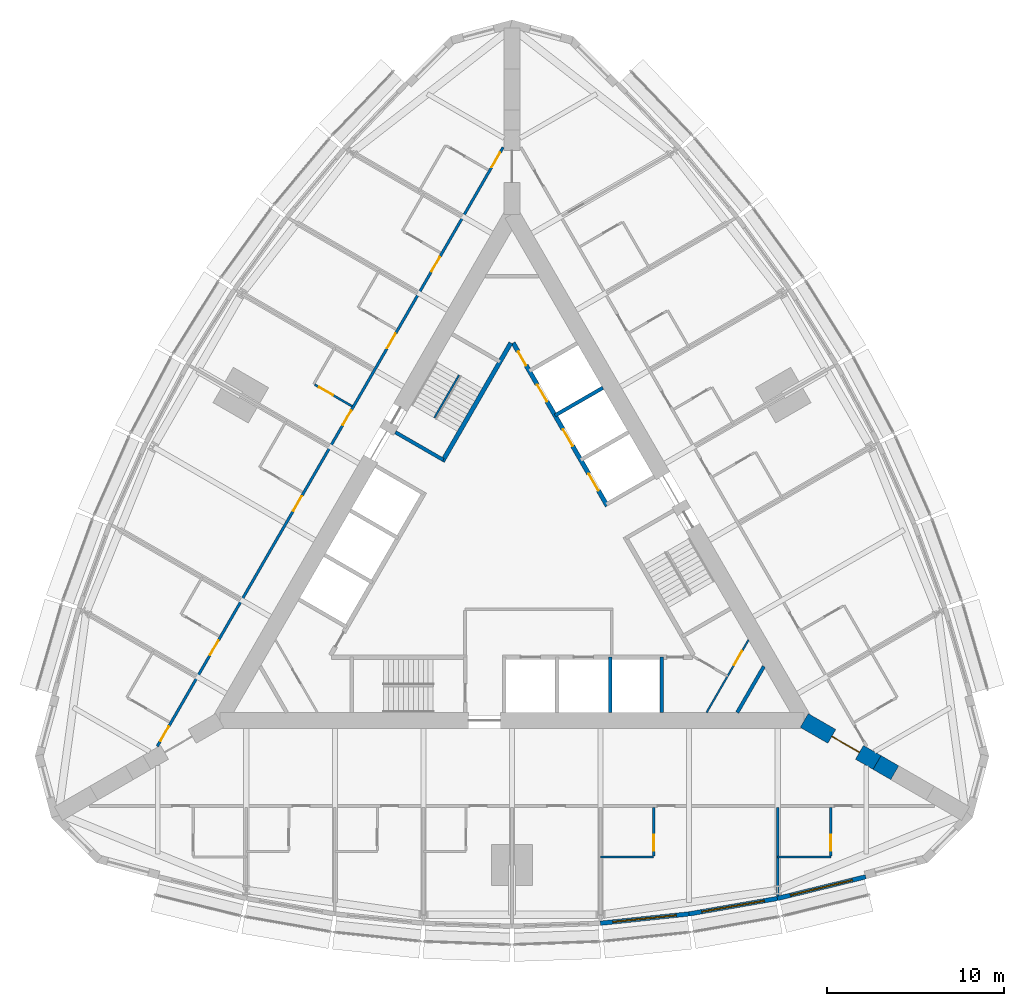
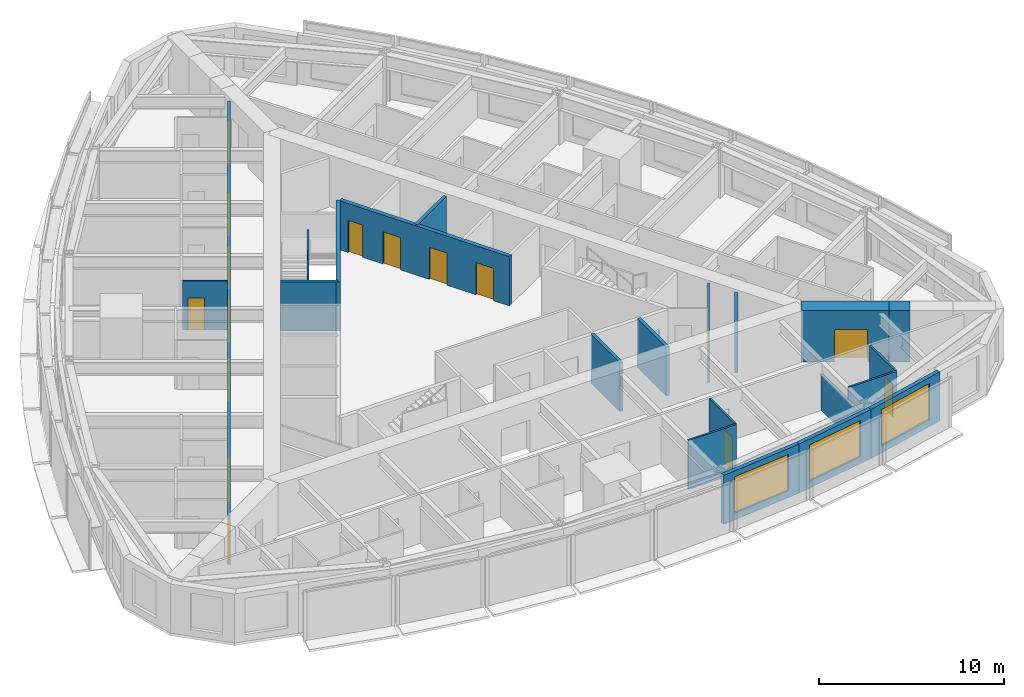
# One storey, part 10 of 14: 21 walls, 16 doors, 3 windows, 19 openings.
"""IFC4 building model written with IfcOpenShell, lengths in metres."""

from ifc_helpers import new_model, si_unit, direction, frame, frame_2d, origin, place, context, subcontext, project, spatial, rectangle, extrude, material, layer, layer_set, type_object, element, fill, save


model = new_model("IFC4")

# Units and contexts
model_context = context("Model", 3, precision=1e-05, world=origin(), true_north=direction((0.0, 1.0)))
body_context = subcontext(model_context, "Body", "Model", "MODEL_VIEW")
ifc_project = project(units=[si_unit("LENGTHUNIT", "METRE"), si_unit("AREAUNIT", "SQUARE_METRE"), si_unit("VOLUMEUNIT", "CUBIC_METRE"), si_unit("PLANEANGLEUNIT", "RADIAN"), si_unit("MASSUNIT", "GRAM", prefix="KILO")], contexts=[model_context])

# Site, building, storey
site_placement = place(None, origin())
site = spatial("IfcSite", under=ifc_project, at=site_placement, CompositionType="ELEMENT")
building_placement = place(site_placement, origin())
building = spatial("IfcBuilding", under=site, at=building_placement, Name="Trikona Tower", CompositionType="ELEMENT")
storey_placement = place(building_placement, frame((0.0, 0.0, 121.5)))
storey = spatial("IfcBuildingStorey", under=building, at=storey_placement, Name="L31", CompositionType="ELEMENT", Elevation=121.5)

# Wall
ifc_material_1 = material(Name="Metal stud and cement board", Category="gypsum")
ifc_layer_1 = layer(ifc_material_1, 0.1201171875)
ifc_layer_set_1 = layer_set([ifc_layer_1], Name="Bathroom wall 120")
wall_type_1 = type_object("IfcWallType", Name="Bathroom wall 120", PredefinedType="PLUMBINGWALL", material=ifc_layer_set_1)
wall_1_placement = place(storey_placement, frame((5.0, -17.226318359375, 0.0), z_axis=(0.0, 0.0, 1.0), x_axis=(1.0, 0.0, 0.0)))
element("IfcWall", 1, at=wall_1_placement, inside=storey, type_object=wall_type_1, Name="Bathroom wall 3105", PredefinedType="PLUMBINGWALL", context=body_context, shape_type="SweptSolid", body=[
    extrude(rectangle(XDim=3.0, YDim=0.1201171875, at=frame_2d((1.5, 0.0))), origin(), (0.0, 0.0, 1.0), 3.235107421875),
])

# Wall, opening, door
wall_2_placement = place(storey_placement, frame((8.0, -14.42626953125, 0.0), z_axis=(0.0, 0.0, 1.0), x_axis=(0.0, -1.0, 0.0)))
wall_2 = element("IfcWall", 2, at=wall_2_placement, inside=storey, type_object=wall_type_1, Name="Bathroom wall 3105", PredefinedType="PLUMBINGWALL", context=body_context, shape_type="SweptSolid", body=[
    extrude(rectangle(XDim=2.739990234375, YDim=0.1201171875, at=frame_2d((1.3701171875, 0.0))), origin(), (0.0, 0.0, 1.0), 3.235107421875),
])
opening_1_placement = place(wall_2_placement, frame((1.550048828125, 0.0, 0.0)))
opening_1 = element("IfcOpeningElement", 3, at=opening_1_placement, cuts=wall_2, Name="Opening D2", PredefinedType="OPENING", context=body_context, shape_type="SweptSolid", body=[
    extrude(rectangle(XDim=0.89990234375, YDim=2.1298828125, at=frame_2d((0.449951171875, 1.06494140625))), frame((0.0, 0.070068359375, 0.0), z_axis=(0.0, -1.0, 0.0), x_axis=(1.0, 0.0, 0.0)), (0.0, 0.0, 1.0), 0.14013671875),
])
ifc_material_2 = material(Name="Steel door frame with solid-core timber leaf", Category="steel")
door_type_1 = type_object("IfcDoorType", Name="Bathroom door 900x2130", OperationType="SLIDING_TO_LEFT", PredefinedType="DOOR", material=ifc_material_2)
door_1_placement = place(opening_1_placement, origin())
door_1 = element("IfcDoor", 4, at=door_1_placement, inside=storey, type_object=door_type_1, Name="Bathroom door 3105", OperationType="SLIDING_TO_LEFT", OverallHeight=2.1298828125, OverallWidth=0.89990234375, PredefinedType="DOOR", context=body_context, shape_type="SweptSolid", body=[
    extrude(rectangle(XDim=0.89990234375, YDim=2.1298828125, at=frame_2d((0.449951171875, 1.06494140625))), frame((0.0, 0.02490234375, 0.0), z_axis=(0.0, -1.0, 0.0), x_axis=(1.0, 0.0, 0.0)), (0.0, 0.0, 1.0), 0.050048828125),
])
fill(opening_1, door_1)

# Wall
wall_3_placement = place(storey_placement, frame((15.0, -17.226318359375, 0.0), z_axis=(0.0, 0.0, 1.0), x_axis=(1.0, 0.0, 0.0)))
element("IfcWall", 5, at=wall_3_placement, inside=storey, type_object=wall_type_1, Name="Bathroom wall 3106", PredefinedType="PLUMBINGWALL", context=body_context, shape_type="SweptSolid", body=[
    extrude(rectangle(XDim=3.0, YDim=0.1201171875, at=frame_2d((1.5, 0.0))), origin(), (0.0, 0.0, 1.0), 3.235107421875),
])

# Wall, opening, door
wall_4_placement = place(storey_placement, frame((18.0, -14.42626953125, 0.0), z_axis=(0.0, 0.0, 1.0), x_axis=(0.0, -1.0, 0.0)))
wall_4 = element("IfcWall", 6, at=wall_4_placement, inside=storey, type_object=wall_type_1, Name="Bathroom wall 3106", PredefinedType="PLUMBINGWALL", context=body_context, shape_type="SweptSolid", body=[
    extrude(rectangle(XDim=2.739990234375, YDim=0.1201171875, at=frame_2d((1.3701171875, 0.0))), origin(), (0.0, 0.0, 1.0), 3.235107421875),
])
opening_2_placement = place(wall_4_placement, frame((1.550048828125, 0.0, 0.0)))
opening_2 = element("IfcOpeningElement", 7, at=opening_2_placement, cuts=wall_4, Name="Opening D2", PredefinedType="OPENING", context=body_context, shape_type="SweptSolid", body=[
    extrude(rectangle(XDim=0.89990234375, YDim=2.1298828125, at=frame_2d((0.449951171875, 1.06494140625))), frame((0.0, 0.070068359375, 0.0), z_axis=(0.0, -1.0, 0.0), x_axis=(1.0, 0.0, 0.0)), (0.0, 0.0, 1.0), 0.14013671875),
])
door_2_placement = place(opening_2_placement, origin())
door_2 = element("IfcDoor", 8, at=door_2_placement, inside=storey, type_object=door_type_1, Name="Bathroom door 3106", OperationType="SLIDING_TO_LEFT", OverallHeight=2.1298828125, OverallWidth=0.89990234375, PredefinedType="DOOR", context=body_context, shape_type="SweptSolid", body=[
    extrude(rectangle(XDim=0.89990234375, YDim=2.1298828125, at=frame_2d((0.449951171875, 1.06494140625))), frame((0.0, 0.02490234375, 0.0), z_axis=(0.0, -1.0, 0.0), x_axis=(1.0, 0.0, 0.0)), (0.0, 0.0, 1.0), 0.050048828125),
])
fill(opening_2, door_2)

wall_5_placement = place(storey_placement, frame((-9.028564453125, 8.21484375, 0.0), z_axis=(0.0, 0.0, 1.0), x_axis=(-0.866023955769, 0.500002508028, 0.0)))
wall_5 = element("IfcWall", 9, at=wall_5_placement, inside=storey, type_object=wall_type_1, Name="Bathroom wall 3116", PredefinedType="PLUMBINGWALL", context=body_context, shape_type="SweptSolid", body=[
    extrude(rectangle(XDim=2.43994140625, YDim=0.1201171875, at=frame_2d((1.219970703125, 0.0))), origin(), (0.0, 0.0, 1.0), 3.235107421875),
])
opening_3_placement = place(wall_5_placement, frame((1.25, 0.0, 0.0)))
opening_3 = element("IfcOpeningElement", 10, at=opening_3_placement, cuts=wall_5, Name="Opening D2", PredefinedType="OPENING", context=body_context, shape_type="SweptSolid", body=[
    extrude(rectangle(XDim=0.89990234375, YDim=2.1298828125, at=frame_2d((0.449951171875, 1.06494140625))), frame((0.0, 0.070068359375, 0.0), z_axis=(0.0, -1.0, 0.0), x_axis=(1.0, 0.0, 0.0)), (0.0, 0.0, 1.0), 0.14013671875),
])
door_3_placement = place(opening_3_placement, origin())
door_3 = element("IfcDoor", 11, at=door_3_placement, inside=storey, type_object=door_type_1, Name="Bathroom door 3116", OperationType="SLIDING_TO_LEFT", OverallHeight=2.1298828125, OverallWidth=0.89990234375, PredefinedType="DOOR", context=body_context, shape_type="SweptSolid", body=[
    extrude(rectangle(XDim=0.89990234375, YDim=2.1298828125, at=frame_2d((0.449951171875, 1.06494140625))), frame((0.0, 0.02490234375, 0.0), z_axis=(0.0, -1.0, 0.0), x_axis=(1.0, 0.0, 0.0)), (0.0, 0.0, 1.0), 0.050048828125),
])
fill(opening_3, door_3)

ifc_material_3 = material(Name="Concrete f'c 10000 psi", Category="concrete")
ifc_layer_2 = layer(ifc_material_3, 0.89990234375)
ifc_layer_set_2 = layer_set([ifc_layer_2], Name="Buttress wall 900")
wall_type_2 = type_object("IfcWallType", Name="Buttress wall 900", PredefinedType="SHEAR", material=ifc_layer_set_2)
wall_6_placement = place(storey_placement, frame((16.5, -9.5263671875, 0.0), z_axis=(0.0, 0.0, 1.0), x_axis=(0.866031398331, -0.499989616998, 0.0)))
wall_6 = element("IfcWall", 12, at=wall_6_placement, inside=storey, type_object=wall_type_2, Name="Buttress wall 1", PredefinedType="SHEAR", context=body_context, shape_type="SweptSolid", body=[
    extrude(rectangle(XDim=4.74609375, YDim=0.89990234375, at=frame_2d((2.373046875, 0.0))), origin(), (0.0, 0.0, 1.0), 3.39990234375),
])
opening_4_placement = place(wall_6_placement, frame((1.800048828125, 0.0, 0.0)))
opening_4 = element("IfcOpeningElement", 13, at=opening_4_placement, cuts=wall_6, Name="Opening D10", PredefinedType="OPENING", context=body_context, shape_type="SweptSolid", body=[
    extrude(rectangle(XDim=1.800048828125, YDim=2.1298828125, at=frame_2d((0.89990234375, 1.06494140625))), frame((0.0, 0.4599609375, 0.0), z_axis=(0.0, -1.0, 0.0), x_axis=(1.0, 0.0, 0.0)), (0.0, 0.0, 1.0), 0.919921875),
])
ifc_material_4 = material(Name="Hollow metal door and frame", Category="steel")
door_type_2 = type_object("IfcDoorType", Name="Cross-corridor door pair 1800x2130", OperationType="DOUBLE_DOOR_DOUBLE_SWING", PredefinedType="DOOR", material=ifc_material_4)
door_4_placement = place(opening_4_placement, origin())
door_4 = element("IfcDoor", 14, at=door_4_placement, inside=storey, type_object=door_type_2, Name="Cross-corridor door 1", OperationType="DOUBLE_DOOR_DOUBLE_SWING", OverallHeight=2.1298828125, OverallWidth=1.800048828125, PredefinedType="DOOR", context=body_context, shape_type="SweptSolid", body=[
    extrude(rectangle(XDim=1.800048828125, YDim=2.1298828125, at=frame_2d((0.89990234375, 1.06494140625))), frame((0.0, 0.02490234375, 0.0), z_axis=(0.0, -1.0, 0.0), x_axis=(1.0, 0.0, 0.0)), (0.0, 0.0, 1.0), 0.050048828125),
])
fill(opening_4, door_4)

# Wall
wall_7_placement = place(storey_placement, frame((20.6103515625, -11.8994140625, 0.0), z_axis=(0.0, 0.0, 1.0), x_axis=(0.866009537788, -0.500027479704, 0.0)))
element("IfcWall", 15, at=wall_7_placement, inside=storey, type_object=wall_type_2, Name="Buttress wall 1 part 2", PredefinedType="SHEAR", context=body_context, shape_type="SweptSolid", body=[
    extrude(rectangle(XDim=1.15478515625, YDim=0.89990234375, at=frame_2d((0.577392578125, 0.0))), origin(), (0.0, 0.0, 1.0), 3.39990234375),
])

# Wall, openings, doors
ifc_material_5 = material(Name="Metal stud and gypsum board, 1-hour", Category="gypsum")
ifc_layer_3 = layer(ifc_material_5, 0.14990234375)
ifc_layer_set_3 = layer_set([ifc_layer_3], Name="Corridor wall 150")
wall_type_3 = type_object("IfcWallType", Name="Corridor wall 150", PredefinedType="PARTITIONING", material=ifc_layer_set_3)
wall_8_placement = place(storey_placement, frame((-0.5, 22.83642578125, 0.0), z_axis=(0.0, 0.0, 1.0), x_axis=(-0.500001677587, -0.866024435227, 0.0)))
wall_8 = element("IfcWall", 16, at=wall_8_placement, inside=storey, type_object=wall_type_3, Name="Corridor wall L31-3", PredefinedType="PARTITIONING", context=body_context, shape_type="SweptSolid", body=[
    extrude(rectangle(XDim=39.053955078125, YDim=0.14990234375, at=frame_2d((19.52685546875, 0.0))), origin(), (0.0, 0.0, 1.0), 3.235107421875),
])
opening_5_placement = place(wall_8_placement, frame((0.35205078125, 0.0, 0.0)))
opening_5 = element("IfcOpeningElement", 17, at=opening_5_placement, cuts=wall_8, Name="Opening D1", PredefinedType="OPENING", context=body_context, shape_type="SweptSolid", body=[
    extrude(rectangle(XDim=0.949951171875, YDim=2.1298828125, at=frame_2d((0.47509765625, 1.06494140625))), frame((0.0, 0.0849609375, 0.0), z_axis=(0.0, -1.0, 0.0), x_axis=(1.0, 0.0, 0.0)), (0.0, 0.0, 1.0), 0.169921875),
])
opening_6_placement = place(wall_8_placement, frame((7.152099609375, 0.0, 0.0)))
opening_6 = element("IfcOpeningElement", 18, at=opening_6_placement, cuts=wall_8, Name="Opening D1", PredefinedType="OPENING", context=body_context, shape_type="SweptSolid", body=[
    extrude(rectangle(XDim=0.949951171875, YDim=2.1298828125, at=frame_2d((0.47509765625, 1.06494140625))), frame((0.0, 0.0849609375, 0.0), z_axis=(0.0, -1.0, 0.0), x_axis=(1.0, 0.0, 0.0)), (0.0, 0.0, 1.0), 0.169921875),
])
opening_7_placement = place(wall_8_placement, frame((12.152099609375, 0.0, 0.0)))
opening_7 = element("IfcOpeningElement", 19, at=opening_7_placement, cuts=wall_8, Name="Opening D1", PredefinedType="OPENING", context=body_context, shape_type="SweptSolid", body=[
    extrude(rectangle(XDim=0.949951171875, YDim=2.1298828125, at=frame_2d((0.47509765625, 1.06494140625))), frame((0.0, 0.0849609375, 0.0), z_axis=(0.0, -1.0, 0.0), x_axis=(1.0, 0.0, 0.0)), (0.0, 0.0, 1.0), 0.169921875),
])
opening_8_placement = place(wall_8_placement, frame((17.152099609375, 0.0, 0.0)))
opening_8 = element("IfcOpeningElement", 20, at=opening_8_placement, cuts=wall_8, Name="Opening D1", PredefinedType="OPENING", context=body_context, shape_type="SweptSolid", body=[
    extrude(rectangle(XDim=0.949951171875, YDim=2.1298828125, at=frame_2d((0.47509765625, 1.06494140625))), frame((0.0, 0.0849609375, 0.0), z_axis=(0.0, -1.0, 0.0), x_axis=(1.0, 0.0, 0.0)), (0.0, 0.0, 1.0), 0.169921875),
])
opening_9_placement = place(wall_8_placement, frame((22.751953125, 0.0, 0.0)))
opening_9 = element("IfcOpeningElement", 21, at=opening_9_placement, cuts=wall_8, Name="Opening D1", PredefinedType="OPENING", context=body_context, shape_type="SweptSolid", body=[
    extrude(rectangle(XDim=0.949951171875, YDim=2.1298828125, at=frame_2d((0.47509765625, 1.06494140625))), frame((0.0, 0.0849609375, 0.0), z_axis=(0.0, -1.0, 0.0), x_axis=(1.0, 0.0, 0.0)), (0.0, 0.0, 1.0), 0.169921875),
])
opening_10_placement = place(wall_8_placement, frame((32.152099609375, 0.0, 0.0)))
opening_10 = element("IfcOpeningElement", 22, at=opening_10_placement, cuts=wall_8, Name="Opening D1", PredefinedType="OPENING", context=body_context, shape_type="SweptSolid", body=[
    extrude(rectangle(XDim=0.949951171875, YDim=2.1298828125, at=frame_2d((0.47509765625, 1.06494140625))), frame((0.0, 0.0849609375, 0.0), z_axis=(0.0, -1.0, 0.0), x_axis=(1.0, 0.0, 0.0)), (0.0, 0.0, 1.0), 0.169921875),
])
opening_11_placement = place(wall_8_placement, frame((37.751953125, 0.0, 0.0)))
opening_11 = element("IfcOpeningElement", 23, at=opening_11_placement, cuts=wall_8, Name="Opening D1", PredefinedType="OPENING", context=body_context, shape_type="SweptSolid", body=[
    extrude(rectangle(XDim=0.949951171875, YDim=2.1298828125, at=frame_2d((0.47509765625, 1.06494140625))), frame((0.0, 0.0849609375, 0.0), z_axis=(0.0, -1.0, 0.0), x_axis=(1.0, 0.0, 0.0)), (0.0, 0.0, 1.0), 0.169921875),
])
ifc_material_6 = material(Name="Steel door frame with solid-core timber leaf", Category="steel")
door_type_3 = type_object("IfcDoorType", Name="Guest room door 950x2130", OperationType="SINGLE_SWING_LEFT", PredefinedType="DOOR", material=ifc_material_6)
door_5_placement = place(opening_5_placement, origin())
door_5 = element("IfcDoor", 24, at=door_5_placement, inside=storey, type_object=door_type_3, Name="Room door 3113", OperationType="SINGLE_SWING_LEFT", OverallHeight=2.1298828125, OverallWidth=0.949951171875, PredefinedType="DOOR", context=body_context, shape_type="SweptSolid", body=[
    extrude(rectangle(XDim=0.949951171875, YDim=2.1298828125, at=frame_2d((0.47509765625, 1.06494140625))), frame((0.0, 0.02490234375, 0.0), z_axis=(0.0, -1.0, 0.0), x_axis=(1.0, 0.0, 0.0)), (0.0, 0.0, 1.0), 0.050048828125),
])
fill(opening_5, door_5)
door_6_placement = place(opening_6_placement, origin())
door_6 = element("IfcDoor", 25, at=door_6_placement, inside=storey, type_object=door_type_3, Name="Room door 3114", OperationType="SINGLE_SWING_RIGHT", OverallHeight=2.1298828125, OverallWidth=0.949951171875, PredefinedType="DOOR", context=body_context, shape_type="SweptSolid", body=[
    extrude(rectangle(XDim=0.949951171875, YDim=2.1298828125, at=frame_2d((0.47509765625, 1.06494140625))), frame((0.0, 0.02490234375, 0.0), z_axis=(0.0, -1.0, 0.0), x_axis=(1.0, 0.0, 0.0)), (0.0, 0.0, 1.0), 0.050048828125),
])
fill(opening_6, door_6)
door_7_placement = place(opening_7_placement, origin())
door_7 = element("IfcDoor", 26, at=door_7_placement, inside=storey, type_object=door_type_3, Name="Room door 3115", OperationType="SINGLE_SWING_LEFT", OverallHeight=2.1298828125, OverallWidth=0.949951171875, PredefinedType="DOOR", context=body_context, shape_type="SweptSolid", body=[
    extrude(rectangle(XDim=0.949951171875, YDim=2.1298828125, at=frame_2d((0.47509765625, 1.06494140625))), frame((0.0, 0.02490234375, 0.0), z_axis=(0.0, -1.0, 0.0), x_axis=(1.0, 0.0, 0.0)), (0.0, 0.0, 1.0), 0.050048828125),
])
fill(opening_7, door_7)
door_8_placement = place(opening_8_placement, origin())
door_8 = element("IfcDoor", 27, at=door_8_placement, inside=storey, type_object=door_type_3, Name="Room door 3116", OperationType="SINGLE_SWING_RIGHT", OverallHeight=2.1298828125, OverallWidth=0.949951171875, PredefinedType="DOOR", context=body_context, shape_type="SweptSolid", body=[
    extrude(rectangle(XDim=0.949951171875, YDim=2.1298828125, at=frame_2d((0.47509765625, 1.06494140625))), frame((0.0, 0.02490234375, 0.0), z_axis=(0.0, -1.0, 0.0), x_axis=(1.0, 0.0, 0.0)), (0.0, 0.0, 1.0), 0.050048828125),
])
fill(opening_8, door_8)
door_9_placement = place(opening_9_placement, origin())
door_9 = element("IfcDoor", 28, at=door_9_placement, inside=storey, type_object=door_type_3, Name="Room door 3117", OperationType="SINGLE_SWING_LEFT", OverallHeight=2.1298828125, OverallWidth=0.949951171875, PredefinedType="DOOR", context=body_context, shape_type="SweptSolid", body=[
    extrude(rectangle(XDim=0.949951171875, YDim=2.1298828125, at=frame_2d((0.47509765625, 1.06494140625))), frame((0.0, 0.02490234375, 0.0), z_axis=(0.0, -1.0, 0.0), x_axis=(1.0, 0.0, 0.0)), (0.0, 0.0, 1.0), 0.050048828125),
])
fill(opening_9, door_9)
door_10_placement = place(opening_10_placement, origin())
door_10 = element("IfcDoor", 29, at=door_10_placement, inside=storey, type_object=door_type_3, Name="Room door 3118", OperationType="SINGLE_SWING_RIGHT", OverallHeight=2.1298828125, OverallWidth=0.949951171875, PredefinedType="DOOR", context=body_context, shape_type="SweptSolid", body=[
    extrude(rectangle(XDim=0.949951171875, YDim=2.1298828125, at=frame_2d((0.47509765625, 1.06494140625))), frame((0.0, 0.02490234375, 0.0), z_axis=(0.0, -1.0, 0.0), x_axis=(1.0, 0.0, 0.0)), (0.0, 0.0, 1.0), 0.050048828125),
])
fill(opening_10, door_10)
door_11_placement = place(opening_11_placement, origin())
door_11 = element("IfcDoor", 30, at=door_11_placement, inside=storey, type_object=door_type_3, Name="Room door 3119", OperationType="SINGLE_SWING_RIGHT", OverallHeight=2.1298828125, OverallWidth=0.949951171875, PredefinedType="DOOR", context=body_context, shape_type="SweptSolid", body=[
    extrude(rectangle(XDim=0.949951171875, YDim=2.1298828125, at=frame_2d((0.47509765625, 1.06494140625))), frame((0.0, 0.02490234375, 0.0), z_axis=(0.0, -1.0, 0.0), x_axis=(1.0, 0.0, 0.0)), (0.0, 0.0, 1.0), 0.050048828125),
])
fill(opening_11, door_11)

ifc_material_7 = material(Name="Concrete f'c 8000 psi", Category="concrete")
ifc_layer_4 = layer(ifc_material_7, 0.25)
ifc_layer_set_4 = layer_set([ifc_layer_4], Name="Hub wall 250")
wall_type_4 = type_object("IfcWallType", Name="Hub wall 250", PredefinedType="SOLIDWALL", material=ifc_layer_set_4)
wall_9_placement = place(storey_placement, frame((5.37890625, 2.5859375, 0.0), z_axis=(0.0, 0.0, 1.0), x_axis=(-0.500001375892, 0.866024609411, 0.0)))
wall_9 = element("IfcWall", 31, at=wall_9_placement, inside=storey, type_object=wall_type_4, Name="Lift lobby wall B2", PredefinedType="SOLIDWALL", context=body_context, shape_type="SweptSolid", body=[
    extrude(rectangle(XDim=10.6328125, YDim=0.25, at=frame_2d((5.31640625, 0.0))), origin(), (0.0, 0.0, 1.0), 3.235107421875),
])
opening_12_placement = place(wall_9_placement, frame((9.1640625, 0.0, 0.0)))
opening_12 = element("IfcOpeningElement", 32, at=opening_12_placement, cuts=wall_9, Name="Opening D14", PredefinedType="OPENING", context=body_context, shape_type="SweptSolid", body=[
    extrude(rectangle(XDim=0.89990234375, YDim=2.1298828125, at=frame_2d((0.449951171875, 1.06494140625))), frame((0.0, 0.135009765625, 0.0), z_axis=(0.0, -1.0, 0.0), x_axis=(1.0, 0.0, 0.0)), (0.0, 0.0, 1.0), 0.27001953125),
])
opening_13_placement = place(wall_9_placement, frame((1.0, 0.0, 0.0)))
opening_13 = element("IfcOpeningElement", 33, at=opening_13_placement, cuts=wall_9, Name="Opening LD", PredefinedType="OPENING", context=body_context, shape_type="SweptSolid", body=[
    extrude(rectangle(XDim=1.10009765625, YDim=2.1298828125, at=frame_2d((0.550048828125, 1.06494140625))), frame((0.0, 0.135009765625, 0.0), z_axis=(0.0, -1.0, 0.0), x_axis=(1.0, 0.0, 0.0)), (0.0, 0.0, 1.0), 0.27001953125),
])
opening_14_placement = place(wall_9_placement, frame((3.89990234375, 0.0, 0.0)))
opening_14 = element("IfcOpeningElement", 34, at=opening_14_placement, cuts=wall_9, Name="Opening LD", PredefinedType="OPENING", context=body_context, shape_type="SweptSolid", body=[
    extrude(rectangle(XDim=1.10009765625, YDim=2.1298828125, at=frame_2d((0.550048828125, 1.06494140625))), frame((0.0, 0.135009765625, 0.0), z_axis=(0.0, -1.0, 0.0), x_axis=(1.0, 0.0, 0.0)), (0.0, 0.0, 1.0), 0.27001953125),
])
opening_15_placement = place(wall_9_placement, frame((6.800048828125, 0.0, 0.0)))
opening_15 = element("IfcOpeningElement", 35, at=opening_15_placement, cuts=wall_9, Name="Opening LD", PredefinedType="OPENING", context=body_context, shape_type="SweptSolid", body=[
    extrude(rectangle(XDim=1.10009765625, YDim=2.1298828125, at=frame_2d((0.550048828125, 1.06494140625))), frame((0.0, 0.135009765625, 0.0), z_axis=(0.0, -1.0, 0.0), x_axis=(1.0, 0.0, 0.0)), (0.0, 0.0, 1.0), 0.27001953125),
])
ifc_material_8 = material(Name="Stainless steel lift landing door", Category="steel")
door_type_4 = type_object("IfcDoorType", Name="Lift landing door 1100x2130", OperationType="DOUBLE_DOOR_SLIDING", PredefinedType="USERDEFINED", material=ifc_material_8)
door_12_placement = place(opening_13_placement, origin())
door_12 = element("IfcDoor", 36, at=door_12_placement, inside=storey, type_object=door_type_4, Name="Lift landing door L2-1", ObjectType="LIFT LANDING DOOR", OperationType="DOUBLE_DOOR_SLIDING", OverallHeight=2.1298828125, OverallWidth=1.10009765625, PredefinedType="USERDEFINED", context=body_context, shape_type="SweptSolid", body=[
    extrude(rectangle(XDim=1.10009765625, YDim=2.1298828125, at=frame_2d((0.550048828125, 1.06494140625))), frame((0.0, 0.02490234375, 0.0), z_axis=(0.0, -1.0, 0.0), x_axis=(1.0, 0.0, 0.0)), (0.0, 0.0, 1.0), 0.050048828125),
])
fill(opening_13, door_12)
door_13_placement = place(opening_14_placement, origin())
door_13 = element("IfcDoor", 37, at=door_13_placement, inside=storey, type_object=door_type_4, Name="Lift landing door L2-2", ObjectType="LIFT LANDING DOOR", OperationType="DOUBLE_DOOR_SLIDING", OverallHeight=2.1298828125, OverallWidth=1.10009765625, PredefinedType="USERDEFINED", context=body_context, shape_type="SweptSolid", body=[
    extrude(rectangle(XDim=1.10009765625, YDim=2.1298828125, at=frame_2d((0.550048828125, 1.06494140625))), frame((0.0, 0.02490234375, 0.0), z_axis=(0.0, -1.0, 0.0), x_axis=(1.0, 0.0, 0.0)), (0.0, 0.0, 1.0), 0.050048828125),
])
fill(opening_14, door_13)
door_14_placement = place(opening_15_placement, origin())
door_14 = element("IfcDoor", 38, at=door_14_placement, inside=storey, type_object=door_type_4, Name="Lift landing door L2-3", ObjectType="LIFT LANDING DOOR", OperationType="DOUBLE_DOOR_SLIDING", OverallHeight=2.1298828125, OverallWidth=1.10009765625, PredefinedType="USERDEFINED", context=body_context, shape_type="SweptSolid", body=[
    extrude(rectangle(XDim=1.10009765625, YDim=2.1298828125, at=frame_2d((0.550048828125, 1.06494140625))), frame((0.0, 0.02490234375, 0.0), z_axis=(0.0, -1.0, 0.0), x_axis=(1.0, 0.0, 0.0)), (0.0, 0.0, 1.0), 0.050048828125),
])
fill(opening_15, door_14)
ifc_material_9 = material(Name="Hollow metal door and frame", Category="steel")
door_type_5 = type_object("IfcDoorType", Name="Service room door 900x2130", OperationType="SINGLE_SWING_LEFT", PredefinedType="DOOR", material=ifc_material_9)
door_15_placement = place(opening_12_placement, origin())
door_15 = element("IfcDoor", 39, at=door_15_placement, inside=storey, type_object=door_type_5, Name="Door Linen store LIN", OperationType="SINGLE_SWING_RIGHT", OverallHeight=2.1298828125, OverallWidth=0.89990234375, PredefinedType="DOOR", context=body_context, shape_type="SweptSolid", body=[
    extrude(rectangle(XDim=0.89990234375, YDim=2.1298828125, at=frame_2d((0.449951171875, 1.06494140625))), frame((0.0, 0.02490234375, 0.0), z_axis=(0.0, -1.0, 0.0), x_axis=(1.0, 0.0, 0.0)), (0.0, 0.0, 1.0), 0.050048828125),
])
fill(opening_12, door_15)

# Wall
wall_10_placement = place(storey_placement, frame((-0.0625, 11.794189453125, 0.0), z_axis=(0.0, 0.0, 1.0), x_axis=(-0.500006680225, -0.86602154692, 0.0)))
element("IfcWall", 40, at=wall_10_placement, inside=storey, type_object=wall_type_4, Name="Lift lobby wall C1", PredefinedType="SOLIDWALL", context=body_context, shape_type="SweptSolid", body=[
    extrude(rectangle(XDim=7.73291015625, YDim=0.25, at=frame_2d((3.866455078125, 0.0))), origin(), (0.0, 0.0, 1.0), 3.235107421875),
])

# Wall, opening, window
ifc_material_10 = material(Name="Insulated precast concrete spandrel panel", Category="concrete")
ifc_layer_5 = layer(ifc_material_10, 0.25)
ifc_layer_set_5 = layer_set([ifc_layer_5], Name="Inner skin wall 250")
wall_type_5 = type_object("IfcWallType", Name="Inner skin wall 250", PredefinedType="STANDARD", material=ifc_layer_set_5)
wall_11_placement = place(storey_placement, frame((4.98681640625, -20.975830078125, 0.0), z_axis=(0.0, 0.0, 1.0), x_axis=(0.994534683851, 0.104406717299, 0.0)))
wall_11 = element("IfcWall", 41, at=wall_11_placement, inside=storey, type_object=wall_type_5, Name="External wall L31-05", PredefinedType="STANDARD", context=body_context, shape_type="SweptSolid", body=[
    extrude(rectangle(XDim=5.027587890625, YDim=0.25, at=frame_2d((2.513671875, 0.0))), origin(), (0.0, 0.0, 1.0), 3.235107421875),
])
opening_16_placement = place(wall_11_placement, frame((0.713623046875, 0.0, 0.449951171875)))
opening_16 = element("IfcOpeningElement", 42, at=opening_16_placement, cuts=wall_11, Name="Opening W3624", PredefinedType="OPENING", context=body_context, shape_type="SweptSolid", body=[
    extrude(rectangle(XDim=3.60009765625, YDim=2.39990234375, at=frame_2d((1.800048828125, 1.199951171875))), frame((0.0, 0.135009765625, 0.0), z_axis=(0.0, -1.0, 0.0), x_axis=(1.0, 0.0, 0.0)), (0.0, 0.0, 1.0), 0.27001953125),
])
ifc_material_11 = material(Name="Aluminium-framed double glazing", Category="aluminium")
window_type = type_object("IfcWindowType", Name="Window 3600x2400", PartitioningType="SINGLE_PANEL", PredefinedType="WINDOW", material=ifc_material_11)
window_1_placement = place(opening_16_placement, origin())
window_1 = element("IfcWindow", 43, at=window_1_placement, inside=storey, type_object=window_type, Name="Window 3105", OverallHeight=2.39990234375, OverallWidth=3.60009765625, PartitioningType="SINGLE_PANEL", PredefinedType="WINDOW", context=body_context, shape_type="SweptSolid", body=[
    extrude(rectangle(XDim=3.60009765625, YDim=2.39990234375, at=frame_2d((1.800048828125, 1.199951171875))), frame((0.0, 0.030029296875, 0.0), z_axis=(0.0, -1.0, 0.0), x_axis=(1.0, 0.0, 0.0)), (0.0, 0.0, 1.0), 0.06005859375),
])
fill(opening_16, window_1)

wall_12_placement = place(storey_placement, frame((9.978515625, -20.4521484375, 0.0), z_axis=(0.0, 0.0, 1.0), x_axis=(0.985030467156, 0.172380331752, 0.0)))
wall_12 = element("IfcWall", 44, at=wall_12_placement, inside=storey, type_object=wall_type_5, Name="External wall L31-06", PredefinedType="STANDARD", context=body_context, shape_type="SweptSolid", body=[
    extrude(rectangle(XDim=5.075927734375, YDim=0.25, at=frame_2d((2.5380859375, 0.0))), origin(), (0.0, 0.0, 1.0), 3.235107421875),
])
opening_17_placement = place(wall_12_placement, frame((0.738037109375, 0.0, 0.449951171875)))
opening_17 = element("IfcOpeningElement", 45, at=opening_17_placement, cuts=wall_12, Name="Opening W3624", PredefinedType="OPENING", context=body_context, shape_type="SweptSolid", body=[
    extrude(rectangle(XDim=3.60009765625, YDim=2.39990234375, at=frame_2d((1.800048828125, 1.199951171875))), frame((0.0, 0.135009765625, 0.0), z_axis=(0.0, -1.0, 0.0), x_axis=(1.0, 0.0, 0.0)), (0.0, 0.0, 1.0), 0.27001953125),
])
window_2_placement = place(opening_17_placement, origin())
window_2 = element("IfcWindow", 46, at=window_2_placement, inside=storey, type_object=window_type, Name="Window 3105", OverallHeight=2.39990234375, OverallWidth=3.60009765625, PartitioningType="SINGLE_PANEL", PredefinedType="WINDOW", context=body_context, shape_type="SweptSolid", body=[
    extrude(rectangle(XDim=3.60009765625, YDim=2.39990234375, at=frame_2d((1.800048828125, 1.199951171875))), frame((0.0, 0.030029296875, 0.0), z_axis=(0.0, -1.0, 0.0), x_axis=(1.0, 0.0, 0.0)), (0.0, 0.0, 1.0), 0.06005859375),
])
fill(opening_17, window_2)

wall_13_placement = place(storey_placement, frame((14.97021484375, -19.578857421875, 0.0), z_axis=(0.0, 0.0, 1.0), x_axis=(0.971270024053, 0.237980126011, 0.0)))
wall_13 = element("IfcWall", 47, at=wall_13_placement, inside=storey, type_object=wall_type_5, Name="External wall L31-07", PredefinedType="STANDARD", context=body_context, shape_type="SweptSolid", body=[
    extrude(rectangle(XDim=5.14794921875, YDim=0.25, at=frame_2d((2.573974609375, 0.0))), origin(), (0.0, 0.0, 1.0), 3.235107421875),
])
opening_18_placement = place(wall_13_placement, frame((0.77392578125, 0.0, 0.449951171875)))
opening_18 = element("IfcOpeningElement", 48, at=opening_18_placement, cuts=wall_13, Name="Opening W3624", PredefinedType="OPENING", context=body_context, shape_type="SweptSolid", body=[
    extrude(rectangle(XDim=3.60009765625, YDim=2.39990234375, at=frame_2d((1.800048828125, 1.199951171875))), frame((0.0, 0.135009765625, 0.0), z_axis=(0.0, -1.0, 0.0), x_axis=(1.0, 0.0, 0.0)), (0.0, 0.0, 1.0), 0.27001953125),
])
window_3_placement = place(opening_18_placement, origin())
window_3 = element("IfcWindow", 49, at=window_3_placement, inside=storey, type_object=window_type, Name="Window 3106", OverallHeight=2.39990234375, OverallWidth=3.60009765625, PartitioningType="SINGLE_PANEL", PredefinedType="WINDOW", context=body_context, shape_type="SweptSolid", body=[
    extrude(rectangle(XDim=3.60009765625, YDim=2.39990234375, at=frame_2d((1.800048828125, 1.199951171875))), frame((0.0, 0.030029296875, 0.0), z_axis=(0.0, -1.0, 0.0), x_axis=(1.0, 0.0, 0.0)), (0.0, 0.0, 1.0), 0.06005859375),
])
fill(opening_18, window_3)

# Walls
ifc_material_12 = material(Name="Metal stud and gypsum board, 1-hour acoustic", Category="gypsum")
ifc_layer_6 = layer(ifc_material_12, 0.14990234375)
ifc_layer_set_6 = layer_set([ifc_layer_6], Name="Party wall 150")
wall_type_6 = type_object("IfcWallType", Name="Party wall 150", PredefinedType="PARTITIONING", material=ifc_layer_set_6)
wall_14_placement = place(storey_placement, frame((15.0, -14.42626953125, 0.0), z_axis=(0.0, 0.0, 1.0), x_axis=(0.0, -1.0, 0.0)))
element("IfcWall", 50, at=wall_14_placement, inside=storey, type_object=wall_type_6, Name="Partition L31 F1 u15", PredefinedType="PARTITIONING", context=body_context, shape_type="SweptSolid", body=[
    extrude(rectangle(XDim=5.0166015625, YDim=0.14990234375, at=frame_2d((2.50830078125, 0.0))), origin(), (0.0, 0.0, 1.0), 2.38916015625),
])
ifc_material_13 = material(Name="Concrete f'c 8000 psi", Category="concrete")
ifc_layer_7 = layer(ifc_material_13, 0.199951171875)
ifc_layer_set_7 = layer_set([ifc_layer_7], Name="Shaft wall 200")
wall_type_7 = type_object("IfcWallType", Name="Shaft wall 200", PredefinedType="SOLIDWALL", material=ifc_layer_set_7)
for number, where, z_axis, x_axis, name in (
    (51, (5.550048828125, -5.951416015625, 0.0), (0.0, 0.0, 1.0), (0.0, -1.0, 0.0), "Shaft wall A5"),
    (52, (8.449951171875, -5.951416015625, 0.0), (0.0, 0.0, 1.0), (0.0, -1.0, 0.0), "Shaft wall A6"),
    (53, (2.428955078125, 7.695556640625, 0.0), (0.0, 0.0, 1.0), (0.866022959057, 0.500004234368, 0.0), "Shaft wall B5"),
):
    element("IfcWall", number, at=place(storey_placement, frame(where, z_axis=z_axis, x_axis=x_axis)), inside=storey, type_object=wall_type_7, Name=name, PredefinedType="SOLIDWALL", context=body_context, shape_type="SweptSolid", body=[
        extrude(rectangle(XDim=3.125, YDim=0.199951171875, at=frame_2d((1.5625, 0.0))), origin(), (0.0, 0.0, 1.0), 3.235107421875),
    ])
wall_15_placement = place(storey_placement, frame((14.219482421875, -6.476318359375, 0.0), z_axis=(0.0, 0.0, 1.0), x_axis=(-0.499952404951, -0.866052881055, 0.0)))
element("IfcWall", 54, at=wall_15_placement, inside=storey, type_object=wall_type_7, Name="Riser wall L31-RS1", PredefinedType="SOLIDWALL", context=body_context, shape_type="SweptSolid", body=[
    extrude(rectangle(XDim=3.002197265625, YDim=0.199951171875, at=frame_2d((1.5009765625, 0.0))), origin(), (0.0, 0.0, 1.0), 3.235107421875),
])
ifc_material_14 = material(Name="Concrete f'c 8000 psi", Category="concrete")
ifc_layer_8 = layer(ifc_material_14, 0.199951171875)
ifc_layer_set_8 = layer_set([ifc_layer_8], Name="Shaft wall 200 load-bearing")
wall_type_8 = type_object("IfcWallType", Name="Shaft wall 200 load-bearing", PredefinedType="SOLIDWALL", material=ifc_layer_set_8)
wall_16_placement = place(storey_placement, frame((-3.87890625, 5.18408203125, 0.0), z_axis=(0.0, 0.0, 1.0), x_axis=(-0.866022959057, 0.500004234368, 0.0)))
element("IfcWall", 55, at=wall_16_placement, inside=storey, type_object=wall_type_8, Name="Shaft wall C2", PredefinedType="SOLIDWALL", context=body_context, shape_type="SweptSolid", body=[
    extrude(rectangle(XDim=3.125, YDim=0.199951171875, at=frame_2d((1.5625, 0.0))), origin(), (0.0, 0.0, 1.0), 3.235107421875),
])
ifc_material_15 = material(Name="Concrete f'c 5000 psi", Category="concrete")
ifc_layer_9 = layer(ifc_material_15, 0.10009765625)
ifc_layer_set_9 = layer_set([ifc_layer_9], Name="Stair spine wall 100")
wall_type_9 = type_object("IfcWallType", Name="Stair spine wall 100", PredefinedType="SOLIDWALL", material=ifc_layer_set_9)
wall_17_placement = place(storey_placement, frame((-2.98779296875, 9.9775390625, 0.0), z_axis=(0.0, 0.0, 1.0), x_axis=(-0.499992232847, -0.866029888106, 0.0)))
element("IfcWall", 56, at=wall_17_placement, inside=storey, type_object=wall_type_9, Name="Stair C spine wall L31", PredefinedType="SOLIDWALL", context=body_context, shape_type="SweptSolid", body=[
    extrude(rectangle(XDim=2.7939453125, YDim=0.10009765625, at=frame_2d((1.39697265625, 0.0))), origin(), (0.0, 0.0, 1.0), 3.39990234375),
])

# Wall, opening, door
ifc_material_16 = material(Name="Metal stud and gypsum board, acoustic", Category="gypsum")
ifc_layer_10 = layer(ifc_material_16, 0.10009765625)
ifc_layer_set_10 = layer_set([ifc_layer_10], Name="Suite partition 100")
wall_type_10 = type_object("IfcWallType", Name="Suite partition 100", PredefinedType="PARTITIONING", material=ifc_layer_set_10)
wall_18_placement = place(storey_placement, frame((13.353515625, -4.976318359375, 0.0), z_axis=(0.0, 0.0, 1.0), x_axis=(-0.499999210213, -0.866025859768, 0.0)))
wall_18 = element("IfcWall", 57, at=wall_18_placement, inside=storey, type_object=wall_type_10, Name="Store partition L31-RS1", PredefinedType="PARTITIONING", context=body_context, shape_type="SweptSolid", body=[
    extrude(rectangle(XDim=4.734375, YDim=0.10009765625, at=frame_2d((2.3671875, 0.0))), origin(), (0.0, 0.0, 1.0), 3.235107421875),
])
opening_19_placement = place(wall_18_placement, frame((0.733642578125, 0.0, 0.0)))
opening_19 = element("IfcOpeningElement", 58, at=opening_19_placement, cuts=wall_18, Name="Opening D15", PredefinedType="OPENING", context=body_context, shape_type="SweptSolid", body=[
    extrude(rectangle(XDim=0.89990234375, YDim=2.1298828125, at=frame_2d((0.449951171875, 1.06494140625))), frame((0.0, 0.06005859375, 0.0), z_axis=(0.0, -1.0, 0.0), x_axis=(1.0, 0.0, 0.0)), (0.0, 0.0, 1.0), 0.1201171875),
])
ifc_material_17 = material(Name="Steel door frame with solid-core timber leaf", Category="steel")
door_type_6 = type_object("IfcDoorType", Name="Store door 900x2130", OperationType="SINGLE_SWING_LEFT", PredefinedType="DOOR", material=ifc_material_17)
door_16_placement = place(opening_19_placement, origin())
door_16 = element("IfcDoor", 59, at=door_16_placement, inside=storey, type_object=door_type_6, Name="Door Amenity store AMS", OperationType="SINGLE_SWING_LEFT", OverallHeight=2.1298828125, OverallWidth=0.89990234375, PredefinedType="DOOR", context=body_context, shape_type="SweptSolid", body=[
    extrude(rectangle(XDim=0.89990234375, YDim=2.1298828125, at=frame_2d((0.449951171875, 1.06494140625))), frame((0.0, 0.02490234375, 0.0), z_axis=(0.0, -1.0, 0.0), x_axis=(1.0, 0.0, 0.0)), (0.0, 0.0, 1.0), 0.050048828125),
])
fill(opening_19, door_16)

save(model, "model.ifc")
